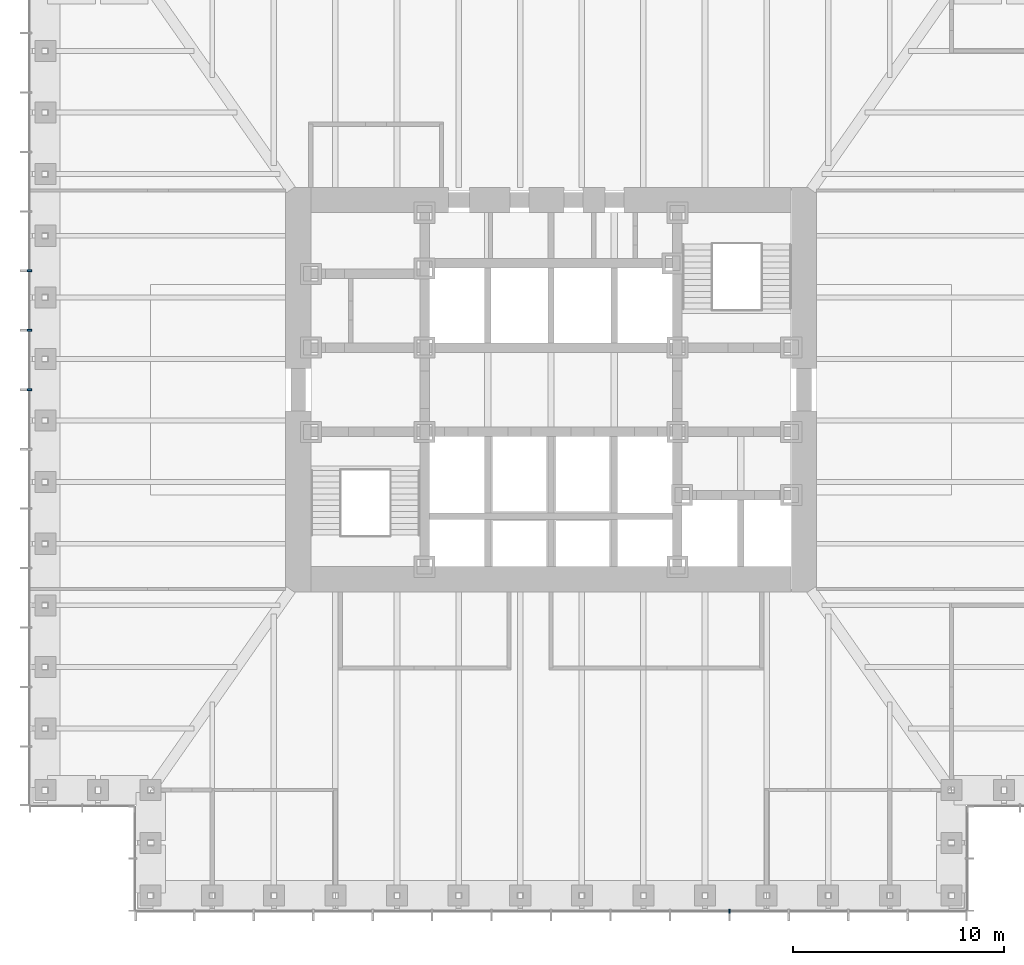
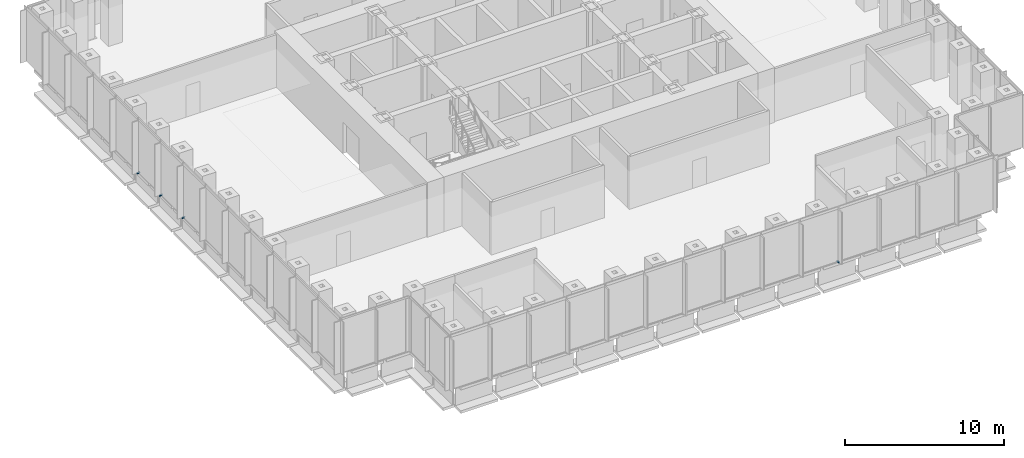
# One storey, part 12 of 16: 4 discrete accessories.
"""IFC4 building model written with IfcOpenShell, lengths in metres."""

import ifcopenshell
import ifcopenshell.guid

model = None  # the IFC model being written
_history = None  # IfcOwnerHistory: only IFC2X3 demands one
_inside = {}  # id of a spatial element -> (the spatial element, [elements in it])
_under = {}  # id of a project, library or spatial element -> (it, [spatial elements below it])
_declared = {}  # id of a project -> (the project, [libraries it declares])
_typed = {}  # id of a type object -> (the type object, [elements of that type])
_made_of = {}  # id of a material, layer set ... -> (it, [elements and type objects made of it])


def new_model(schema):
    """Start an empty IFC model of exactly this schema.

    Asked for "IFC4X3", IfcOpenShell would pick the latest addendum, in which some entities
    have other attributes; the version numbers below select the first issue.
    IFC2X3 requires an IfcOwnerHistory on every rooted entity: one is made here for all.
    """
    global model, _history
    if schema == "IFC4X3":
        model = ifcopenshell.file(schema_version=(4, 3, 0, 0))
    else:
        model = ifcopenshell.file(schema=schema)
    _inside.clear()
    _under.clear()
    _declared.clear()
    _typed.clear()
    _made_of.clear()
    _history = None
    if model.schema == "IFC2X3":
        org = make("IfcOrganization", Name="unknown")
        user = make(
            "IfcPersonAndOrganization",
            ThePerson=make("IfcPerson", FamilyName="unknown"),
            TheOrganization=org,
        )
        app = make(
            "IfcApplication",
            ApplicationDeveloper=org,
            Version="unknown",
            ApplicationFullName="unknown",
            ApplicationIdentifier="unknown",
        )
        _history = make(
            "IfcOwnerHistory",
            OwningUser=user,
            OwningApplication=app,
            ChangeAction="ADDED",
            CreationDate=0,
        )
    return model


def make(cls, **values):
    """One entity of the class cls with the attributes given. An attribute that is None is left unset."""
    return model.create_entity(
        cls, **{name: value for name, value in values.items() if value is not None}
    )


def rooted(cls, **values):
    """An entity with a GlobalId (a new one), such as an element, a storey or a relation."""
    return make(cls, GlobalId=ifcopenshell.guid.new(), OwnerHistory=_history, **values)


def si_unit(unit_type, name, prefix=None):
    """IfcSIUnit, for example si_unit("LENGTHUNIT", "METRE", prefix="MILLI")."""
    return make("IfcSIUnit", UnitType=unit_type, Prefix=prefix, Name=name)


def assignment(units):
    """IfcUnitAssignment: the units of a project."""
    return None if units is None else make("IfcUnitAssignment", Units=units)


def point(xyz):
    """IfcCartesianPoint."""
    return None if xyz is None else make("IfcCartesianPoint", Coordinates=xyz)


def direction(xyz):
    """IfcDirection."""
    return None if xyz is None else make("IfcDirection", DirectionRatios=xyz)


def frame(location, z_axis=None, x_axis=None):
    """IfcAxis2Placement3D, a coordinate frame: its origin and axes. An axis left out is left unset."""
    return make(
        "IfcAxis2Placement3D",
        Location=point(location),
        Axis=direction(z_axis),
        RefDirection=direction(x_axis),
    )


def frame_2d(location, x_axis=None):
    """IfcAxis2Placement2D, a coordinate frame in the plane: its origin and x axis."""
    return make(
        "IfcAxis2Placement2D", Location=point(location), RefDirection=direction(x_axis)
    )


def origin():
    """The frame at (0, 0, 0) with its axes left unset."""
    return frame((0.0, 0.0, 0.0))


def origin_2d():
    """The frame at (0, 0) in the plane with its x axis left unset."""
    return frame_2d((0.0, 0.0))


def place(relative_to, where):
    """IfcLocalPlacement: puts the frame where relative to a parent placement (None: the world)."""
    return make(
        "IfcLocalPlacement", PlacementRelTo=relative_to, RelativePlacement=where
    )


def context(
    kind, dimensions, precision=None, world=None, true_north=None, identifier=None
):
    """IfcGeometricRepresentationContext, for example the 3D "Model" context."""
    return make(
        "IfcGeometricRepresentationContext",
        ContextIdentifier=identifier,
        ContextType=kind,
        CoordinateSpaceDimension=dimensions,
        Precision=precision,
        WorldCoordinateSystem=world,
        TrueNorth=true_north,
    )


def subcontext(parent, identifier, kind, view, scale=None):
    """IfcGeometricRepresentationSubContext, for example "Body" below "Model"."""
    return make(
        "IfcGeometricRepresentationSubContext",
        ContextIdentifier=identifier,
        ContextType=kind,
        ParentContext=parent,
        TargetScale=scale,
        TargetView=view,
    )


def project(units=None, contexts=None):
    """IfcProject with its units and contexts."""
    return rooted(
        "IfcProject",
        Name="project",
        RepresentationContexts=contexts,
        UnitsInContext=assignment(units),
    )


def spatial(cls, under=None, at=None, **own):
    """A site, building, storey or space (cls), placed at a placement, below another one or the project."""
    s = rooted(cls, ObjectPlacement=at, **own)
    if under is not None:
        _under.setdefault(under.id(), (under, []))[1].append(s)
    return s


def profile(cls, at=None, kind="AREA", **sizes):
    """A parametric profile (cls). Its sizes go by their IFC names, for example OverallWidth=200.0."""
    return make(cls, ProfileType=kind, Position=at, **sizes)


def rectangle(**sizes):
    """IfcRectangleProfileDef."""
    return profile("IfcRectangleProfileDef", **sizes)


def extrude(swept, where, along, depth):
    """IfcExtrudedAreaSolid: the profile swept, set in the frame where, extruded along a direction by depth."""
    return make(
        "IfcExtrudedAreaSolid",
        SweptArea=swept,
        Position=where,
        ExtrudedDirection=direction(along),
        Depth=depth,
    )


def shape(context_of_items, identifier, shape_type, items):
    """IfcShapeRepresentation: the items that make up one representation, for example the "Body"."""
    return make(
        "IfcShapeRepresentation",
        ContextOfItems=context_of_items,
        RepresentationIdentifier=identifier,
        RepresentationType=shape_type,
        Items=items,
    )


def made_of(thing, what):
    """Note that an element or type object is made of a material, layer set ...; save() writes the relation."""
    if what is not None:
        _made_of.setdefault(what.id(), (what, []))[1].append(thing)
    return thing


def element(
    cls,
    number,
    at=None,
    inside=None,
    cuts=None,
    type_object=None,
    material=None,
    context=None,
    identifier="Body",
    shape_type=None,
    held_by="IfcProductDefinitionShape",
    body=None,
    shapes=None,
    **own,
):
    """One element of the class cls, such as IfcWall. Its Tag is "e" and its number.

    at: its placement. inside: the storey or other place that contains it. cuts: it is an
    opening in that element (IfcRelVoidsElement). A single representation is given by context,
    identifier, shape_type and body (its items); several are given by shapes. held_by: the class
    of the entity that holds the representations. save() writes the other relations.
    """
    e = rooted(cls, Tag="e%d" % number, ObjectPlacement=at, **own)
    if body is not None:
        shapes = [shape(context, identifier, shape_type, body)]
    if shapes is not None:
        e.Representation = make(held_by, Representations=shapes)
    if inside is not None:
        _inside.setdefault(inside.id(), (inside, []))[1].append(e)
    if cuts is not None:
        rooted(
            "IfcRelVoidsElement", RelatingBuildingElement=cuts, RelatedOpeningElement=e
        )
    if type_object is not None:
        _typed.setdefault(type_object.id(), (type_object, []))[1].append(e)
    return made_of(e, material)


def aggregate(whole, parts):
    """IfcRelAggregates: a whole, such as a stair, and the parts it consists of."""
    return rooted("IfcRelAggregates", RelatingObject=whole, RelatedObjects=parts)


def save(model, path):
    """Write the relations noted so far, then the file.

    IfcRelAggregates (storeys below a building ...), IfcRelContainedInSpatialStructure (elements
    in a storey), IfcRelDefinesByType, IfcRelAssociatesMaterial and IfcRelDeclares: one each for
    every whole, place, type object, material and project.
    """
    for whole, parts in _under.values():
        aggregate(whole, parts)
    for where, things in _inside.values():
        rooted(
            "IfcRelContainedInSpatialStructure",
            RelatedElements=things,
            RelatingStructure=where,
        )
    for kind, things in _typed.values():
        rooted("IfcRelDefinesByType", RelatedObjects=things, RelatingType=kind)
    for what, things in _made_of.values():
        rooted("IfcRelAssociatesMaterial", RelatedObjects=things, RelatingMaterial=what)
    for by, libraries in _declared.values():
        rooted("IfcRelDeclares", RelatingContext=by, RelatedDefinitions=libraries)
    model.write(path)


model = new_model("IFC4")

# Units and contexts
model_context = context("Model", 3, precision=1e-05, world=origin(), true_north=direction((0.0, 1.0)))
body_context = subcontext(model_context, "Body", "Model", "MODEL_VIEW")
ifc_project = project(units=[si_unit("LENGTHUNIT", "METRE"), si_unit("AREAUNIT", "SQUARE_METRE"), si_unit("VOLUMEUNIT", "CUBIC_METRE"), si_unit("PLANEANGLEUNIT", "RADIAN"), si_unit("MASSUNIT", "GRAM", prefix="KILO")], contexts=[model_context])

# Site, building, storey
site_placement = place(None, origin())
site = spatial("IfcSite", under=ifc_project, at=site_placement, CompositionType="ELEMENT")
building_placement = place(site_placement, origin())
building = spatial("IfcBuilding", under=site, at=building_placement, Name="Daluyong Arena Tower", CompositionType="ELEMENT")
storey_placement = place(building_placement, frame((0.0, 0.0, 39.10009765625)))
storey = spatial("IfcBuildingStorey", under=building, at=storey_placement, Name="L07", CompositionType="ELEMENT", Elevation=39.10009765625)

# Discrete accessories
for number, where, z_axis, x_axis, name in (
    (1, (64.46435546875, 55.25, -0.10009765625), (0.0, 0.0, 1.0), (1.0, 0.0, 0.0), "curtain wall L07 S anchor bracket 11"),
    (2, (31.25, 85.642822265625, -0.10009765625), (0.0, 0.0, 1.0), (0.0, -1.0, 0.0), "curtain wall L07 W anchor bracket 6"),
    (3, (31.25, 82.821533203125, -0.10009765625), (0.0, 0.0, 1.0), (0.0, -1.0, 0.0), "curtain wall L07 W anchor bracket 7"),
    (4, (31.25, 80.0, -0.10009765625), (0.0, 0.0, 1.0), (0.0, -1.0, 0.0), "curtain wall L07 W anchor bracket 8"),
):
    element("IfcDiscreteAccessory", number, at=place(storey_placement, frame(where, z_axis=z_axis, x_axis=x_axis)), inside=storey, Name=name, PredefinedType="BRACKET", context=body_context, shape_type="SweptSolid", body=[
        extrude(rectangle(XDim=0.080078125, YDim=0.199951171875, at=origin_2d()), origin(), (0.0, 0.0, 1.0), 0.10009765625),
    ])

save(model, "model.ifc")
